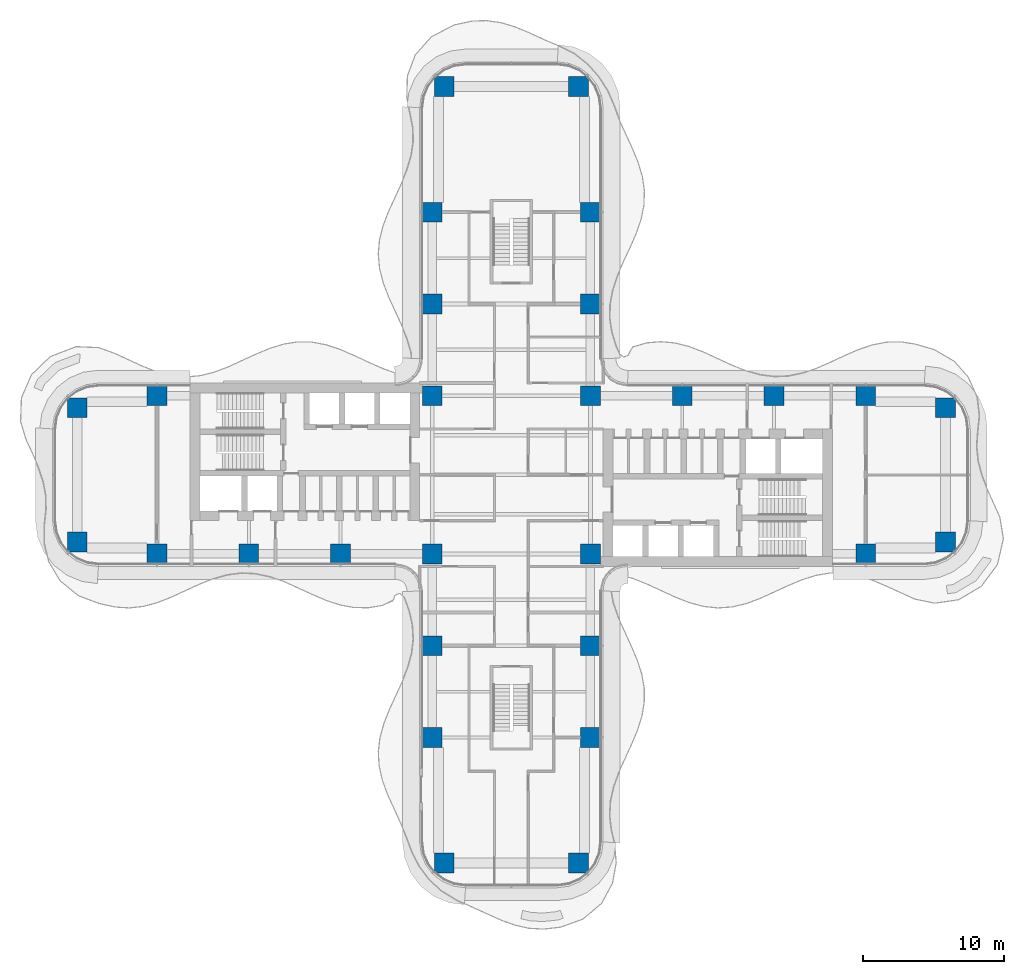
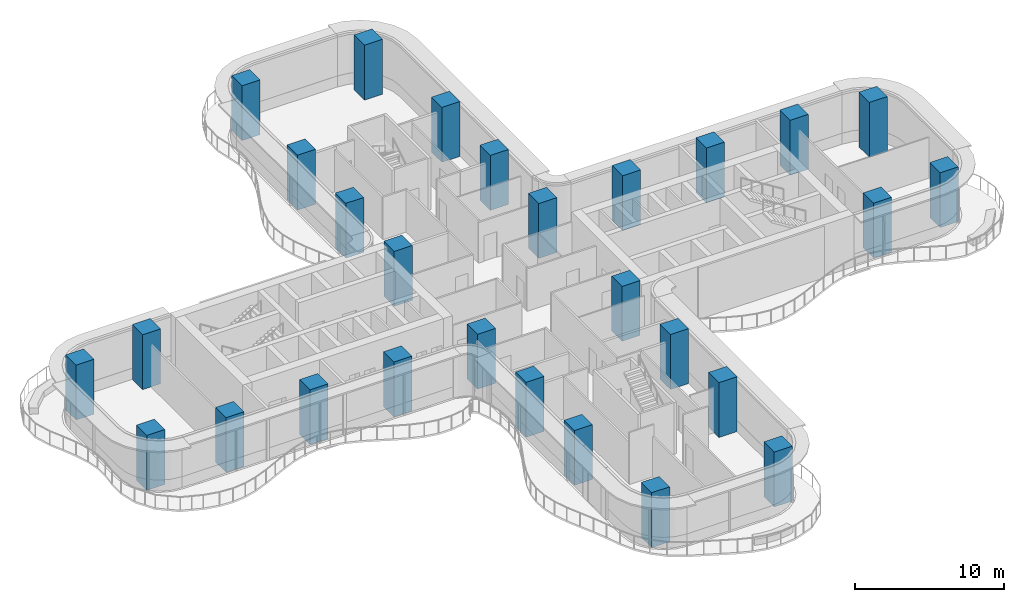
# One storey, part 1 of 22: 28 columns.
"""IFC4 building model written with IfcOpenShell, lengths in metres."""

from ifc_helpers import new_model, si_unit, direction, frame, origin, origin_2d, place, context, subcontext, project, spatial, rectangle, extrude, source, transform, mapped, material, material_profile, profile_set, type_object, element, save


model = new_model("IFC4")

# Units and contexts
model_context = context("Model", 3, precision=1e-05, world=origin(), true_north=direction((0.0, 1.0)))
body_context = subcontext(model_context, "Body", "Model", "MODEL_VIEW")
ifc_project = project(units=[si_unit("LENGTHUNIT", "METRE"), si_unit("AREAUNIT", "SQUARE_METRE"), si_unit("VOLUMEUNIT", "CUBIC_METRE"), si_unit("PLANEANGLEUNIT", "RADIAN"), si_unit("MASSUNIT", "GRAM", prefix="KILO")], contexts=[model_context])

# Site, building, storey
site_placement = place(None, origin())
site = spatial("IfcSite", under=ifc_project, at=site_placement, CompositionType="ELEMENT")
building_placement = place(site_placement, origin())
building = spatial("IfcBuilding", under=site, at=building_placement, Name="Trellis Farm Tower", CompositionType="ELEMENT")
storey_placement = place(building_placement, frame((0.0, 0.0, 56.5)))
storey = spatial("IfcBuildingStorey", under=building, at=storey_placement, Name="L11", CompositionType="ELEMENT", Elevation=56.5)

# Columns
ifc_material = material(Name="Concrete C80/95", Category="concrete")
ifc_material_profile = material_profile(ifc_material, rectangle(XDim=1.39990234375, YDim=1.39990234375, at=origin_2d()), Name="RC column 1400x1400 C80/95")
ifc_profile_set = profile_set([ifc_material_profile], Name="Concrete C80/95")
column_type = type_object("IfcColumnType", Name="RC column 1400x1400 C80/95", PredefinedType="COLUMN", material=ifc_profile_set)
shared_shape = source(origin(), body_context, "Body", "SweptSolid", [
    extrude(rectangle(XDim=1.39990234375, YDim=1.39990234375, at=origin_2d()), origin(), (0.0, 0.0, 1.0), 4.5),
])
for number, where, z_axis, x_axis, name in (
    (1, (12.10009765625, 5.60009765625, 0.0), (0.0, 0.0, 1.0), (1.0, 0.0, 0.0), "Column"),
    (2, (18.60009765625, 5.60009765625, 0.0), (0.0, 0.0, 1.0), (1.0, 0.0, 0.0), "Column"),
    (3, (25.10009765625, 5.60009765625, 0.0), (0.0, 0.0, 1.0), (1.0, 0.0, 0.0), "Column"),
    (4, (30.75, 4.75, 0.0), (0.0, 0.0, 1.0), (1.0, 0.0, 0.0), "Column"),
    (5, (25.10009765625, -5.60009765625, 0.0), (0.0, 0.0, 1.0), (1.0, 0.0, 0.0), "Column"),
    (6, (30.75, -4.75, 0.0), (0.0, 0.0, 1.0), (1.0, 0.0, 0.0), "Column"),
    (7, (-5.60009765625, 12.10009765625, 0.0), (0.0, 0.0, 1.0), (1.0, 0.0, 0.0), "Column"),
    (8, (-5.60009765625, 18.60009765625, 0.0), (0.0, 0.0, 1.0), (1.0, 0.0, 0.0), "Column"),
    (9, (-4.75, 27.5, 0.0), (0.0, 0.0, 1.0), (1.0, 0.0, 0.0), "Column"),
    (10, (5.60009765625, 12.10009765625, 0.0), (0.0, 0.0, 1.0), (1.0, 0.0, 0.0), "Column"),
    (11, (5.60009765625, 18.60009765625, 0.0), (0.0, 0.0, 1.0), (1.0, 0.0, 0.0), "Column"),
    (12, (4.75, 27.5, 0.0), (0.0, 0.0, 1.0), (1.0, 0.0, 0.0), "Column"),
    (13, (5.60009765625, 5.60009765625, 0.0), (0.0, 0.0, 1.0), (1.0, 0.0, 0.0), "Column"),
    (14, (-5.60009765625, 5.60009765625, 0.0), (0.0, 0.0, 1.0), (1.0, 0.0, 0.0), "Column"),
    (15, (5.60009765625, -5.60009765625, 0.0), (0.0, 0.0, 1.0), (1.0, 0.0, 0.0), "Column"),
    (16, (-5.60009765625, -5.60009765625, 0.0), (0.0, 0.0, 1.0), (1.0, 0.0, 0.0), "Column"),
    (17, (5.60009765625, -12.10009765625, 0.0), (0.0, 0.0, 1.0), (1.0, 0.0, 0.0), "Column"),
    (18, (5.60009765625, -18.60009765625, 0.0), (0.0, 0.0, 1.0), (1.0, 0.0, 0.0), "Column"),
    (19, (4.75, -27.5, 0.0), (0.0, 0.0, 1.0), (1.0, 0.0, 0.0), "Column"),
    (20, (-5.60009765625, -12.10009765625, 0.0), (0.0, 0.0, 1.0), (1.0, 0.0, 0.0), "Column"),
    (21, (-5.60009765625, -18.60009765625, 0.0), (0.0, 0.0, 1.0), (1.0, 0.0, 0.0), "Column"),
    (22, (-4.75, -27.5, 0.0), (0.0, 0.0, 1.0), (1.0, 0.0, 0.0), "Column"),
    (23, (-12.10009765625, -5.60009765625, 0.0), (0.0, 0.0, 1.0), (1.0, 0.0, 0.0), "Column"),
    (24, (-18.60009765625, -5.60009765625, 0.0), (0.0, 0.0, 1.0), (1.0, 0.0, 0.0), "Column"),
    (25, (-25.10009765625, -5.60009765625, 0.0), (0.0, 0.0, 1.0), (1.0, 0.0, 0.0), "Column"),
    (26, (-30.75, -4.75, 0.0), (0.0, 0.0, 1.0), (1.0, 0.0, 0.0), "Column"),
    (27, (-25.10009765625, 5.60009765625, 0.0), (0.0, 0.0, 1.0), (1.0, 0.0, 0.0), "Column"),
    (28, (-30.75, 4.75, 0.0), (0.0, 0.0, 1.0), (1.0, 0.0, 0.0), "Column"),
):
    element("IfcColumn", number, at=place(storey_placement, frame(where, z_axis=z_axis, x_axis=x_axis)), inside=storey, type_object=column_type, Name=name, PredefinedType="COLUMN", context=body_context, shape_type="MappedRepresentation", body=[
        mapped(shared_shape, transform((0.0, 0.0, 0.0))),
    ])

save(model, "model.ifc")
